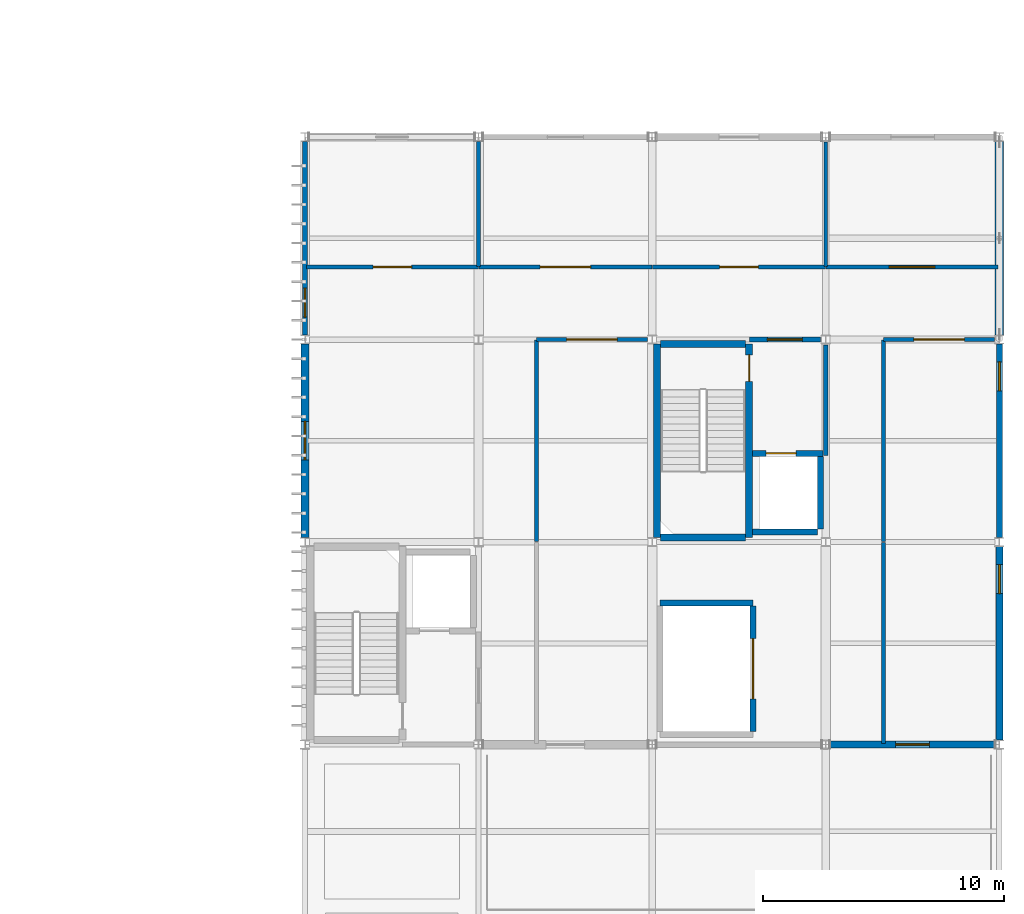
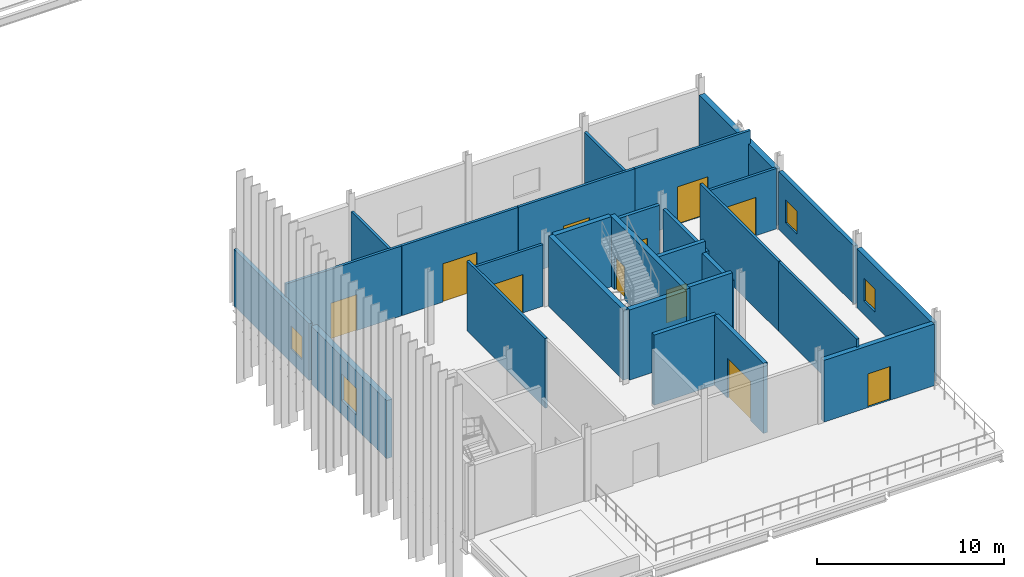
# One storey, part 33 of 45: 28 walls, 11 doors, 4 windows, 15 openings.
"""IFC4 building model written with IfcOpenShell, lengths in metres."""

from ifc_helpers import new_model, si_unit, direction, frame, frame_2d, origin, place, context, subcontext, project, spatial, rectangle, extrude, material, layer, layer_set, type_object, element, fill, save


model = new_model("IFC4")

# Units and contexts
model_context = context("Model", 3, precision=1e-05, world=origin(), true_north=direction((0.0, 1.0)))
body_context = subcontext(model_context, "Body", "Model", "MODEL_VIEW")
ifc_project = project(units=[si_unit("LENGTHUNIT", "METRE"), si_unit("AREAUNIT", "SQUARE_METRE"), si_unit("VOLUMEUNIT", "CUBIC_METRE"), si_unit("PLANEANGLEUNIT", "RADIAN"), si_unit("MASSUNIT", "GRAM", prefix="KILO")], contexts=[model_context])

# Site, building, storey
site_placement = place(None, origin())
site = spatial("IfcSite", under=ifc_project, at=site_placement, CompositionType="ELEMENT")
building_placement = place(site_placement, origin())
building = spatial("IfcBuilding", under=site, at=building_placement, Name="Calvrana Isthmian Art Gallery", CompositionType="ELEMENT")
storey_placement = place(building_placement, frame((0.0, 0.0, 19.800048828125)))
storey = spatial("IfcBuildingStorey", under=building, at=storey_placement, Name="L04", CompositionType="ELEMENT", Elevation=19.800048828125)

# Wall
ifc_material_1 = material(Name="Concrete C40/50", Category="concrete")
ifc_layer_1 = layer(ifc_material_1, 0.300048828125, Name="Concrete C40/50")
ifc_layer_set_1 = layer_set([ifc_layer_1], Name="Concrete C40/50")
wall_type_1 = type_object("IfcWallType", Name="CW-SHAFT-300", PredefinedType="SHEAR", material=ifc_layer_set_1)
wall_1_placement = place(storey_placement, frame((127.39990234375, 30.18994140625, 0.0), z_axis=(0.0, 0.0, 1.0), x_axis=(0.0, 1.0, 0.0)))
element("IfcWall", 1, at=wall_1_placement, inside=storey, type_object=wall_type_1, Name="Core C4 shear wall W L04", PredefinedType="SHEAR", context=body_context, shape_type="SweptSolid", body=[
    extrude(rectangle(XDim=8.02001953125, YDim=0.300048828125, at=frame_2d((4.010009765625, 0.0))), origin(), (0.0, 0.0, 1.0), 4.579833984375),
])

# Wall, opening, door
wall_2_placement = place(storey_placement, frame((131.219970703125, 30.18994140625, 0.0), z_axis=(0.0, 0.0, 1.0), x_axis=(0.0, 1.0, 0.0)))
wall_2 = element("IfcWall", 2, at=wall_2_placement, inside=storey, type_object=wall_type_1, Name="Core C4 shear wall E L04", PredefinedType="SHEAR", context=body_context, shape_type="SweptSolid", body=[
    extrude(rectangle(XDim=8.02001953125, YDim=0.300048828125, at=frame_2d((4.010009765625, 0.0))), origin(), (0.0, 0.0, 1.0), 4.579833984375),
])
opening_1_placement = place(wall_2_placement, frame((6.469970703125, 0.0, 0.0)))
opening_1 = element("IfcOpeningElement", 3, at=opening_1_placement, cuts=wall_2, Name="Opening D-152", PredefinedType="OPENING", context=body_context, shape_type="SweptSolid", body=[
    extrude(rectangle(XDim=1.10009765625, YDim=2.14990234375, at=frame_2d((0.550048828125, 1.074951171875))), frame((0.0, 0.16015625, 0.0), z_axis=(0.0, -1.0, 0.0), x_axis=(1.0, 0.0, 0.0)), (0.0, 0.0, 1.0), 0.320556640625),
])
ifc_material_2 = material(Name="Steel ASTM A572 Gr 50", Category="steel")
door_type_1 = type_object("IfcDoorType", Name="DR-FIRE-1100", OperationType="NOTDEFINED", PredefinedType="DOOR", material=ifc_material_2)
door_1_placement = place(opening_1_placement, origin())
door_1 = element("IfcDoor", 4, at=door_1_placement, inside=storey, type_object=door_type_1, Name="Stair ST-4 fire door L04", OperationType="SINGLE_SWING_LEFT", OverallHeight=2.14990234375, OverallWidth=1.10009765625, PredefinedType="DOOR", context=body_context, shape_type="SweptSolid", body=[
    extrude(rectangle(XDim=1.10009765625, YDim=2.14990234375, at=frame_2d((0.550048828125, 1.074951171875))), frame((0.0, 0.02490234375, 0.0), z_axis=(0.0, -1.0, 0.0), x_axis=(1.0, 0.0, 0.0)), (0.0, 0.0, 1.0), 0.050048828125),
])
fill(opening_1, door_1)

# Walls
for number, where, z_axis, x_axis, name in (
    (5, (127.550048828125, 30.18994140625, 0.0), (0.0, 0.0, 1.0), (1.0, 0.0, 0.0), "Core C4 shear wall S L04"),
    (6, (127.550048828125, 38.2099609375, 0.0), (0.0, 0.0, 1.0), (1.0, 0.0, 0.0), "Core C4 shear wall N L04"),
):
    element("IfcWall", number, at=place(storey_placement, frame(where, z_axis=z_axis, x_axis=x_axis)), inside=storey, type_object=wall_type_1, Name=name, PredefinedType="SHEAR", context=body_context, shape_type="SweptSolid", body=[
        extrude(rectangle(XDim=3.52001953125, YDim=0.300048828125, at=frame_2d((1.760009765625, 0.0))), origin(), (0.0, 0.0, 1.0), 4.579833984375),
    ])

# Wall, opening, window
ifc_material_3 = material(Name="Precast concrete C40/50", Category="concrete")
ifc_layer_2 = layer(ifc_material_3, 0.219970703125, Name="Precast concrete C40/50")
ifc_layer_set_2 = layer_set([ifc_layer_2], Name="Precast concrete C40/50")
wall_type_2 = type_object("IfcWallType", Name="EW-ACOUST-220", PredefinedType="SOLIDWALL", material=ifc_layer_set_2)
wall_3_placement = place(storey_placement, frame((112.800048828125, 38.577880859375, 0.0), z_axis=(0.0, 0.0, 1.0), x_axis=(0.0, 1.0, 0.0)))
wall_3 = element("IfcWall", 7, at=wall_3_placement, inside=storey, type_object=wall_type_2, Name="Exterior wall EW-203", PredefinedType="SOLIDWALL", context=body_context, shape_type="SweptSolid", body=[
    extrude(rectangle(XDim=8.04052734375, YDim=0.219970703125, at=frame_2d((4.020263671875, 0.0))), origin(), (0.0, 0.0, 1.0), 3.703857421875),
])
opening_2_placement = place(wall_3_placement, frame((0.75, 0.0, 0.89990234375)))
opening_2 = element("IfcOpeningElement", 8, at=opening_2_placement, cuts=wall_3, Name="Opening W-151", PredefinedType="OPENING", context=body_context, shape_type="SweptSolid", body=[
    extrude(rectangle(XDim=1.199951171875, YDim=1.5, at=frame_2d((0.60009765625, 0.75))), frame((0.0, 0.1201171875, 0.0), z_axis=(0.0, -1.0, 0.0), x_axis=(1.0, 0.0, 0.0)), (0.0, 0.0, 1.0), 0.240478515625),
])
ifc_material_4 = material(Name="Low-E laminated solar glass", Category="glass")
window_type_1 = type_object("IfcWindowType", Name="WN-G01", PartitioningType="SINGLE_PANEL", PredefinedType="WINDOW", material=ifc_material_4)
window_1_placement = place(opening_2_placement, origin())
window_1 = element("IfcWindow", 9, at=window_1_placement, inside=storey, type_object=window_type_1, Name="Facade window W-151", OverallHeight=1.5, OverallWidth=1.199951171875, PartitioningType="SINGLE_PANEL", PredefinedType="WINDOW", context=body_context, shape_type="SweptSolid", body=[
    extrude(rectangle(XDim=1.199951171875, YDim=1.5, at=frame_2d((0.60009765625, 0.75))), frame((0.0, 0.030029296875, 0.0), z_axis=(0.0, -1.0, 0.0), x_axis=(1.0, 0.0, 0.0)), (0.0, 0.0, 1.0), 0.06005859375),
])
fill(opening_2, window_1)

# Wall, opening, door
ifc_material_5 = material(Name="Pale Isthmian limestone", Category="masonry")
ifc_layer_3 = layer(ifc_material_5, 0.300048828125, Name="Pale Isthmian limestone")
ifc_layer_set_3 = layer_set([ifc_layer_3], Name="Pale Isthmian limestone")
wall_type_3 = type_object("IfcWallType", Name="EW-LIME-300", PredefinedType="SOLIDWALL", material=ifc_layer_set_3)
wall_4_placement = place(storey_placement, frame((141.41357421875, 21.60009765625, 0.0), z_axis=(0.0, 0.0, 1.0), x_axis=(-1.0, 0.0, 0.0)))
wall_4 = element("IfcWall", 10, at=wall_4_placement, inside=storey, type_object=wall_type_3, Name="Exterior wall EW-188", PredefinedType="SOLIDWALL", context=body_context, shape_type="SweptSolid", body=[
    extrude(rectangle(XDim=6.8271484375, YDim=0.300048828125, at=frame_2d((3.41357421875, 0.0))), origin(), (0.0, 0.0, 1.0), 4.02685546875),
])
opening_3_placement = place(wall_4_placement, frame((2.71337890625, 0.0, 0.0)))
opening_3 = element("IfcOpeningElement", 11, at=opening_3_placement, cuts=wall_4, Name="Opening D-T29", PredefinedType="OPENING", context=body_context, shape_type="SweptSolid", body=[
    extrude(rectangle(XDim=1.39990234375, YDim=2.199951171875, at=frame_2d((0.699951171875, 1.10009765625))), frame((0.0, 0.16015625, 0.0), z_axis=(0.0, -1.0, 0.0), x_axis=(1.0, 0.0, 0.0)), (0.0, 0.0, 1.0), 0.320556640625),
])
ifc_material_6 = material(Name="Anodized bronze aluminium 6063-T6", Category="aluminium")
door_type_2 = type_object("IfcDoorType", Name="DR-EXT-TER-1400", OperationType="NOTDEFINED", PredefinedType="DOOR", material=ifc_material_6)
door_2_placement = place(opening_3_placement, origin())
door_2 = element("IfcDoor", 12, at=door_2_placement, inside=storey, type_object=door_type_2, Name="Sculpture terrace access door D-T29", OperationType="SINGLE_SWING_LEFT", OverallHeight=2.199951171875, OverallWidth=1.39990234375, PredefinedType="DOOR", context=body_context, shape_type="SweptSolid", body=[
    extrude(rectangle(XDim=1.39990234375, YDim=2.199951171875, at=frame_2d((0.699951171875, 1.10009765625))), frame((0.0, 0.02490234375, 0.0), z_axis=(0.0, -1.0, 0.0), x_axis=(1.0, 0.0, 0.0)), (0.0, 0.0, 1.0), 0.050048828125),
])
fill(opening_3, door_2)

# Wall, opening, window
wall_5_placement = place(storey_placement, frame((141.60009765625, 29.8134765625, 0.0), z_axis=(0.0, 0.0, 1.0), x_axis=(0.0, -1.0, 0.0)))
wall_5 = element("IfcWall", 13, at=wall_5_placement, inside=storey, type_object=wall_type_3, Name="Exterior wall EW-204", PredefinedType="SOLIDWALL", context=body_context, shape_type="SweptSolid", body=[
    extrude(rectangle(XDim=8.029541015625, YDim=0.300048828125, at=frame_2d((4.0146484375, 0.0))), origin(), (0.0, 0.0, 1.0), 3.866943359375),
])
opening_4_placement = place(wall_5_placement, frame((0.75, 0.0, 0.89990234375)))
opening_4 = element("IfcOpeningElement", 14, at=opening_4_placement, cuts=wall_5, Name="Opening W-152", PredefinedType="OPENING", context=body_context, shape_type="SweptSolid", body=[
    extrude(rectangle(XDim=1.199951171875, YDim=1.5, at=frame_2d((0.60009765625, 0.75))), frame((0.0, 0.16015625, 0.0), z_axis=(0.0, -1.0, 0.0), x_axis=(1.0, 0.0, 0.0)), (0.0, 0.0, 1.0), 0.320556640625),
])
window_2_placement = place(opening_4_placement, origin())
window_2 = element("IfcWindow", 15, at=window_2_placement, inside=storey, type_object=window_type_1, Name="Facade window W-152", OverallHeight=1.5, OverallWidth=1.199951171875, PartitioningType="SINGLE_PANEL", PredefinedType="WINDOW", context=body_context, shape_type="SweptSolid", body=[
    extrude(rectangle(XDim=1.199951171875, YDim=1.5, at=frame_2d((0.60009765625, 0.75))), frame((0.0, 0.030029296875, 0.0), z_axis=(0.0, -1.0, 0.0), x_axis=(1.0, 0.0, 0.0)), (0.0, 0.0, 1.0), 0.06005859375),
])
fill(opening_4, window_2)

ifc_layer_4 = layer(ifc_material_3, 0.35009765625, Name="Precast concrete C40/50")
ifc_layer_set_4 = layer_set([ifc_layer_4], Name="Precast concrete C40/50")
wall_type_4 = type_object("IfcWallType", Name="EW-PREC-350", PredefinedType="SOLIDWALL", material=ifc_layer_set_4)
wall_6_placement = place(storey_placement, frame((112.800048828125, 30.1865234375, 0.0), z_axis=(0.0, 0.0, 1.0), x_axis=(0.0, 1.0, 0.0)))
wall_6 = element("IfcWall", 16, at=wall_6_placement, inside=storey, type_object=wall_type_4, Name="Exterior wall EW-202", PredefinedType="SOLIDWALL", context=body_context, shape_type="SweptSolid", body=[
    extrude(rectangle(XDim=8.035400390625, YDim=0.35009765625, at=frame_2d((4.017578125, 0.0))), origin(), (0.0, 0.0, 1.0), 3.787841796875),
])
opening_5_placement = place(wall_6_placement, frame((3.2177734375, 0.0, 0.89990234375)))
opening_5 = element("IfcOpeningElement", 17, at=opening_5_placement, cuts=wall_6, Name="Opening W-150", PredefinedType="OPENING", context=body_context, shape_type="SweptSolid", body=[
    extrude(rectangle(XDim=1.60009765625, YDim=1.75, at=frame_2d((0.800048828125, 0.875))), frame((0.0, 0.185302734375, 0.0), z_axis=(0.0, -1.0, 0.0), x_axis=(1.0, 0.0, 0.0)), (0.0, 0.0, 1.0), 0.37060546875),
])
window_type_2 = type_object("IfcWindowType", Name="WN-G10", PartitioningType="SINGLE_PANEL", PredefinedType="WINDOW", material=ifc_material_4)
window_3_placement = place(opening_5_placement, origin())
window_3 = element("IfcWindow", 18, at=window_3_placement, inside=storey, type_object=window_type_2, Name="Facade window W-150", OverallHeight=1.75, OverallWidth=1.60009765625, PartitioningType="SINGLE_PANEL", PredefinedType="WINDOW", context=body_context, shape_type="SweptSolid", body=[
    extrude(rectangle(XDim=1.60009765625, YDim=1.75, at=frame_2d((0.800048828125, 0.875))), frame((0.0, 0.030029296875, 0.0), z_axis=(0.0, -1.0, 0.0), x_axis=(1.0, 0.0, 0.0)), (0.0, 0.0, 1.0), 0.06005859375),
])
fill(opening_5, window_3)

# Wall
wall_7_placement = place(storey_placement, frame((141.60009765625, 46.618408203125, 0.0), z_axis=(0.0, 0.0, 1.0), x_axis=(0.0, -1.0, 0.0)))
element("IfcWall", 19, at=wall_7_placement, inside=storey, type_object=wall_type_4, Name="Exterior wall EW-206", PredefinedType="SOLIDWALL", context=body_context, shape_type="SweptSolid", body=[
    extrude(rectangle(XDim=8.04052734375, YDim=0.35009765625, at=frame_2d((4.020263671875, 0.0))), origin(), (0.0, 0.0, 1.0), 3.703857421875),
])

# Wall, opening, window
ifc_material_7 = material(Name="Polychrome glazed terracotta", Category="masonry")
ifc_layer_5 = layer(ifc_material_7, 0.25, Name="Polychrome glazed terracotta")
ifc_layer_set_5 = layer_set([ifc_layer_5], Name="Polychrome glazed terracotta")
wall_type_5 = type_object("IfcWallType", Name="EW-TERRA-250", PredefinedType="SOLIDWALL", material=ifc_layer_set_5)
wall_8_placement = place(storey_placement, frame((141.60009765625, 38.221923828125, 0.0), z_axis=(0.0, 0.0, 1.0), x_axis=(0.0, -1.0, 0.0)))
wall_8 = element("IfcWall", 20, at=wall_8_placement, inside=storey, type_object=wall_type_5, Name="Exterior wall EW-205", PredefinedType="SOLIDWALL", context=body_context, shape_type="SweptSolid", body=[
    extrude(rectangle(XDim=8.035400390625, YDim=0.25, at=frame_2d((4.017578125, 0.0))), origin(), (0.0, 0.0, 1.0), 3.787841796875),
])
opening_6_placement = place(wall_8_placement, frame((0.75, 0.0, 0.89990234375)))
opening_6 = element("IfcOpeningElement", 21, at=opening_6_placement, cuts=wall_8, Name="Opening W-153", PredefinedType="OPENING", context=body_context, shape_type="SweptSolid", body=[
    extrude(rectangle(XDim=1.199951171875, YDim=1.5, at=frame_2d((0.60009765625, 0.75))), frame((0.0, 0.13525390625, 0.0), z_axis=(0.0, -1.0, 0.0), x_axis=(1.0, 0.0, 0.0)), (0.0, 0.0, 1.0), 0.2705078125),
])
window_4_placement = place(opening_6_placement, origin())
window_4 = element("IfcWindow", 22, at=window_4_placement, inside=storey, type_object=window_type_1, Name="Facade window W-153", OverallHeight=1.5, OverallWidth=1.199951171875, PartitioningType="SINGLE_PANEL", PredefinedType="WINDOW", context=body_context, shape_type="SweptSolid", body=[
    extrude(rectangle(XDim=1.199951171875, YDim=1.5, at=frame_2d((0.60009765625, 0.75))), frame((0.0, 0.030029296875, 0.0), z_axis=(0.0, -1.0, 0.0), x_axis=(1.0, 0.0, 0.0)), (0.0, 0.0, 1.0), 0.06005859375),
])
fill(opening_6, window_4)

# Wall
ifc_material_8 = material(Name="Acoustic gypsum ceiling", Category="gypsum")
ifc_layer_6 = layer(ifc_material_8, 0.199951171875, Name="Acoustic gypsum ceiling")
ifc_layer_set_6 = layer_set([ifc_layer_6], Name="Acoustic gypsum ceiling")
wall_type_6 = type_object("IfcWallType", Name="PW-FIRE-200", PredefinedType="PARTITIONING", material=ifc_layer_set_6)
wall_9_placement = place(storey_placement, frame((134.39990234375, 33.60009765625, 0.0), z_axis=(0.0, 0.0, 1.0), x_axis=(0.0, 1.0, 0.0)))
element("IfcWall", 23, at=wall_9_placement, inside=storey, type_object=wall_type_6, Name="Core C4 lobby east closure L04", PredefinedType="PARTITIONING", context=body_context, shape_type="SweptSolid", body=[
    extrude(rectangle(XDim=4.579833984375, YDim=0.199951171875, at=frame_2d((2.2900390625, 0.0))), origin(), (0.0, 0.0, 1.0), 3.866943359375),
])

# Wall, opening, door
wall_10_placement = place(storey_placement, frame((131.22998046875, 38.39990234375, 0.0), z_axis=(0.0, 0.0, 1.0), x_axis=(1.0, 0.0, 0.0)))
wall_10 = element("IfcWall", 24, at=wall_10_placement, inside=storey, type_object=wall_type_6, Name="Core C4 lobby enclosure L04", PredefinedType="PARTITIONING", context=body_context, shape_type="SweptSolid", body=[
    extrude(rectangle(XDim=2.949951171875, YDim=0.199951171875, at=frame_2d((1.47509765625, 0.0))), origin(), (0.0, 0.0, 1.0), 4.097900390625),
])
opening_7_placement = place(wall_10_placement, frame((0.75, 0.0, 0.0)))
opening_7 = element("IfcOpeningElement", 25, at=opening_7_placement, cuts=wall_10, Name="Opening D-153", PredefinedType="OPENING", context=body_context, shape_type="SweptSolid", body=[
    extrude(rectangle(XDim=1.449951171875, YDim=2.199951171875, at=frame_2d((0.72509765625, 1.10009765625))), frame((0.0, 0.1103515625, 0.0), z_axis=(0.0, -1.0, 0.0), x_axis=(1.0, 0.0, 0.0)), (0.0, 0.0, 1.0), 0.220458984375),
])
door_type_3 = type_object("IfcDoorType", Name="DR-LOBBY-1450", OperationType="DOUBLE_DOOR_SINGLE_SWING", PredefinedType="DOOR", material=ifc_material_2)
door_3_placement = place(opening_7_placement, origin())
door_3 = element("IfcDoor", 26, at=door_3_placement, inside=storey, type_object=door_type_3, Name="Core C4 lobby fire door L04", OperationType="DOUBLE_DOOR_SINGLE_SWING", OverallHeight=2.199951171875, OverallWidth=1.449951171875, PredefinedType="DOOR", context=body_context, shape_type="SweptSolid", body=[
    extrude(rectangle(XDim=1.449951171875, YDim=2.199951171875, at=frame_2d((0.72509765625, 1.10009765625))), frame((0.0, 0.02490234375, 0.0), z_axis=(0.0, -1.0, 0.0), x_axis=(1.0, 0.0, 0.0)), (0.0, 0.0, 1.0), 0.050048828125),
])
fill(opening_7, door_3)

# Wall
ifc_layer_7 = layer(ifc_material_8, 0.159912109375, Name="Acoustic gypsum ceiling")
ifc_layer_set_7 = layer_set([ifc_layer_7], Name="Acoustic gypsum ceiling")
wall_type_7 = type_object("IfcWallType", Name="PW-GAL-160", PredefinedType="PARTITIONING", material=ifc_layer_set_7)
wall_11_placement = place(storey_placement, frame((122.39990234375, 30.02001953125, 0.0), z_axis=(0.0, 0.0, 1.0), x_axis=(0.0, 1.0, 0.0)))
element("IfcWall", 27, at=wall_11_placement, inside=storey, type_object=wall_type_7, Name="Interior partition PW-594", PredefinedType="PARTITIONING", context=body_context, shape_type="SweptSolid", body=[
    extrude(rectangle(XDim=8.35986328125, YDim=0.159912109375, at=frame_2d((4.179931640625, 0.0))), origin(), (0.0, 0.0, 1.0), 4.56005859375),
])

# Wall, opening, door
wall_12_placement = place(storey_placement, frame((122.39990234375, 38.39990234375, 0.0), z_axis=(0.0, 0.0, 1.0), x_axis=(1.0, 0.0, 0.0)))
wall_12 = element("IfcWall", 28, at=wall_12_placement, inside=storey, type_object=wall_type_7, Name="Interior partition PW-595", PredefinedType="PARTITIONING", context=body_context, shape_type="SweptSolid", body=[
    extrude(rectangle(XDim=4.5986328125, YDim=0.159912109375, at=frame_2d((2.29931640625, 0.0))), origin(), (0.0, 0.0, 1.0), 4.02685546875),
])
opening_8_placement = place(wall_12_placement, frame((1.249267578125, 0.0, 0.0)))
opening_8 = element("IfcOpeningElement", 29, at=opening_8_placement, cuts=wall_12, Name="Opening D-509", PredefinedType="OPENING", context=body_context, shape_type="SweptSolid", body=[
    extrude(rectangle(XDim=2.10009765625, YDim=2.5, at=frame_2d((1.050048828125, 1.25))), frame((0.0, 0.09033203125, 0.0), z_axis=(0.0, -1.0, 0.0), x_axis=(1.0, 0.0, 0.0)), (0.0, 0.0, 1.0), 0.180419921875),
])
ifc_material_9 = material(Name="Timber gallery flooring", Category="wood")
door_type_4 = type_object("IfcDoorType", Name="DR-GAL-2100", OperationType="DOUBLE_DOOR_SINGLE_SWING", PredefinedType="DOOR", material=ifc_material_9)
door_4_placement = place(opening_8_placement, origin())
door_4 = element("IfcDoor", 30, at=door_4_placement, inside=storey, type_object=door_type_4, Name="Interior door D-509", OperationType="DOUBLE_DOOR_SINGLE_SWING", OverallHeight=2.5, OverallWidth=2.10009765625, PredefinedType="DOOR", context=body_context, shape_type="SweptSolid", body=[
    extrude(rectangle(XDim=2.10009765625, YDim=2.5, at=frame_2d((1.050048828125, 1.25))), frame((0.0, 0.02490234375, 0.0), z_axis=(0.0, -1.0, 0.0), x_axis=(1.0, 0.0, 0.0)), (0.0, 0.0, 1.0), 0.050048828125),
])
fill(opening_8, door_4)

# Walls
wall_13_placement = place(storey_placement, frame((136.800048828125, 21.639892578125, 0.0), z_axis=(0.0, 0.0, 1.0), x_axis=(0.0, 1.0, 0.0)))
element("IfcWall", 31, at=wall_13_placement, inside=storey, type_object=wall_type_7, Name="Interior partition PW-596", PredefinedType="PARTITIONING", context=body_context, shape_type="SweptSolid", body=[
    extrude(rectangle(XDim=8.340087890625, YDim=0.159912109375, at=frame_2d((4.169921875, 0.0))), origin(), (0.0, 0.0, 1.0), 4.56005859375),
])
wall_14_placement = place(storey_placement, frame((136.800048828125, 30.02001953125, 0.0), z_axis=(0.0, 0.0, 1.0), x_axis=(0.0, 1.0, 0.0)))
element("IfcWall", 32, at=wall_14_placement, inside=storey, type_object=wall_type_7, Name="Interior partition PW-597", PredefinedType="PARTITIONING", context=body_context, shape_type="SweptSolid", body=[
    extrude(rectangle(XDim=8.35986328125, YDim=0.159912109375, at=frame_2d((4.179931640625, 0.0))), origin(), (0.0, 0.0, 1.0), 4.56005859375),
])

# Wall, opening, door
wall_15_placement = place(storey_placement, frame((136.800048828125, 38.39990234375, 0.0), z_axis=(0.0, 0.0, 1.0), x_axis=(1.0, 0.0, 0.0)))
wall_15 = element("IfcWall", 33, at=wall_15_placement, inside=storey, type_object=wall_type_7, Name="Interior partition PW-598", PredefinedType="PARTITIONING", context=body_context, shape_type="SweptSolid", body=[
    extrude(rectangle(XDim=4.600830078125, YDim=0.159912109375, at=frame_2d((2.30029296875, 0.0))), origin(), (0.0, 0.0, 1.0), 3.952880859375),
])
opening_9_placement = place(wall_15_placement, frame((1.25048828125, 0.0, 0.0)))
opening_9 = element("IfcOpeningElement", 34, at=opening_9_placement, cuts=wall_15, Name="Opening D-510", PredefinedType="OPENING", context=body_context, shape_type="SweptSolid", body=[
    extrude(rectangle(XDim=2.10009765625, YDim=2.5, at=frame_2d((1.050048828125, 1.25))), frame((0.0, 0.09033203125, 0.0), z_axis=(0.0, -1.0, 0.0), x_axis=(1.0, 0.0, 0.0)), (0.0, 0.0, 1.0), 0.180419921875),
])
door_5_placement = place(opening_9_placement, origin())
door_5 = element("IfcDoor", 35, at=door_5_placement, inside=storey, type_object=door_type_4, Name="Interior door D-510", OperationType="DOUBLE_DOOR_SINGLE_SWING", OverallHeight=2.5, OverallWidth=2.10009765625, PredefinedType="DOOR", context=body_context, shape_type="SweptSolid", body=[
    extrude(rectangle(XDim=2.10009765625, YDim=2.5, at=frame_2d((1.050048828125, 1.25))), frame((0.0, 0.02490234375, 0.0), z_axis=(0.0, -1.0, 0.0), x_axis=(1.0, 0.0, 0.0)), (0.0, 0.0, 1.0), 0.050048828125),
])
fill(opening_9, door_5)

wall_16_placement = place(storey_placement, frame((112.860107421875, 41.409912109375, 0.0), z_axis=(0.0, 0.0, 1.0), x_axis=(1.0, 0.0, 0.0)))
wall_16 = element("IfcWall", 36, at=wall_16_placement, inside=storey, type_object=wall_type_7, Name="Interior partition PW-599", PredefinedType="PARTITIONING", context=body_context, shape_type="SweptSolid", body=[
    extrude(rectangle(XDim=7.1298828125, YDim=0.159912109375, at=frame_2d((3.56494140625, 0.0))), origin(), (0.0, 0.0, 1.0), 4.56005859375),
])
opening_10_placement = place(wall_16_placement, frame((2.764892578125, 0.0, 0.0)))
opening_10 = element("IfcOpeningElement", 37, at=opening_10_placement, cuts=wall_16, Name="Opening D-511", PredefinedType="OPENING", context=body_context, shape_type="SweptSolid", body=[
    extrude(rectangle(XDim=1.60009765625, YDim=2.35009765625, at=frame_2d((0.800048828125, 1.175048828125))), frame((0.0, 0.09033203125, 0.0), z_axis=(0.0, -1.0, 0.0), x_axis=(1.0, 0.0, 0.0)), (0.0, 0.0, 1.0), 0.180419921875),
])
door_type_5 = type_object("IfcDoorType", Name="DR-GAL-1600", OperationType="DOUBLE_DOOR_SINGLE_SWING", PredefinedType="DOOR", material=ifc_material_9)
door_6_placement = place(opening_10_placement, origin())
door_6 = element("IfcDoor", 38, at=door_6_placement, inside=storey, type_object=door_type_5, Name="Interior door D-511", OperationType="DOUBLE_DOOR_SINGLE_SWING", OverallHeight=2.35009765625, OverallWidth=1.60009765625, PredefinedType="DOOR", context=body_context, shape_type="SweptSolid", body=[
    extrude(rectangle(XDim=1.60009765625, YDim=2.35009765625, at=frame_2d((0.800048828125, 1.175048828125))), frame((0.0, 0.02490234375, 0.0), z_axis=(0.0, -1.0, 0.0), x_axis=(1.0, 0.0, 0.0)), (0.0, 0.0, 1.0), 0.050048828125),
])
fill(opening_10, door_6)

# Wall
wall_17_placement = place(storey_placement, frame((120.0, 41.419921875, 0.0), z_axis=(0.0, 0.0, 1.0), x_axis=(0.0, 1.0, 0.0)))
element("IfcWall", 39, at=wall_17_placement, inside=storey, type_object=wall_type_7, Name="Interior partition PW-600", PredefinedType="PARTITIONING", context=body_context, shape_type="SweptSolid", body=[
    extrude(rectangle(XDim=5.18701171875, YDim=0.159912109375, at=frame_2d((2.593505859375, 0.0))), origin(), (0.0, 0.0, 1.0), 3.633056640625),
])

# Wall, opening, door
wall_18_placement = place(storey_placement, frame((120.010009765625, 41.409912109375, 0.0), z_axis=(0.0, 0.0, 1.0), x_axis=(1.0, 0.0, 0.0)))
wall_18 = element("IfcWall", 40, at=wall_18_placement, inside=storey, type_object=wall_type_7, Name="Interior partition PW-601", PredefinedType="PARTITIONING", context=body_context, shape_type="SweptSolid", body=[
    extrude(rectangle(XDim=7.179931640625, YDim=0.159912109375, at=frame_2d((3.58984375, 0.0))), origin(), (0.0, 0.0, 1.0), 4.56005859375),
])
opening_11_placement = place(wall_18_placement, frame((2.5400390625, 0.0, 0.0)))
opening_11 = element("IfcOpeningElement", 41, at=opening_11_placement, cuts=wall_18, Name="Opening D-512", PredefinedType="OPENING", context=body_context, shape_type="SweptSolid", body=[
    extrude(rectangle(XDim=2.10009765625, YDim=2.5, at=frame_2d((1.050048828125, 1.25))), frame((0.0, 0.09033203125, 0.0), z_axis=(0.0, -1.0, 0.0), x_axis=(1.0, 0.0, 0.0)), (0.0, 0.0, 1.0), 0.180419921875),
])
door_7_placement = place(opening_11_placement, origin())
door_7 = element("IfcDoor", 42, at=door_7_placement, inside=storey, type_object=door_type_4, Name="Interior door D-512", OperationType="DOUBLE_DOOR_SINGLE_SWING", OverallHeight=2.5, OverallWidth=2.10009765625, PredefinedType="DOOR", context=body_context, shape_type="SweptSolid", body=[
    extrude(rectangle(XDim=2.10009765625, YDim=2.5, at=frame_2d((1.050048828125, 1.25))), frame((0.0, 0.02490234375, 0.0), z_axis=(0.0, -1.0, 0.0), x_axis=(1.0, 0.0, 0.0)), (0.0, 0.0, 1.0), 0.050048828125),
])
fill(opening_11, door_7)

wall_19_placement = place(storey_placement, frame((127.2099609375, 41.409912109375, 0.0), z_axis=(0.0, 0.0, 1.0), x_axis=(1.0, 0.0, 0.0)))
wall_19 = element("IfcWall", 43, at=wall_19_placement, inside=storey, type_object=wall_type_7, Name="Interior partition PW-602", PredefinedType="PARTITIONING", context=body_context, shape_type="SweptSolid", body=[
    extrude(rectangle(XDim=7.179931640625, YDim=0.159912109375, at=frame_2d((3.58984375, 0.0))), origin(), (0.0, 0.0, 1.0), 4.56005859375),
])
opening_12_placement = place(wall_19_placement, frame((2.7900390625, 0.0, 0.0)))
opening_12 = element("IfcOpeningElement", 44, at=opening_12_placement, cuts=wall_19, Name="Opening D-513", PredefinedType="OPENING", context=body_context, shape_type="SweptSolid", body=[
    extrude(rectangle(XDim=1.60009765625, YDim=2.35009765625, at=frame_2d((0.800048828125, 1.175048828125))), frame((0.0, 0.09033203125, 0.0), z_axis=(0.0, -1.0, 0.0), x_axis=(1.0, 0.0, 0.0)), (0.0, 0.0, 1.0), 0.180419921875),
])
door_8_placement = place(opening_12_placement, origin())
door_8 = element("IfcDoor", 45, at=door_8_placement, inside=storey, type_object=door_type_5, Name="Interior door D-513", OperationType="DOUBLE_DOOR_SINGLE_SWING", OverallHeight=2.35009765625, OverallWidth=1.60009765625, PredefinedType="DOOR", context=body_context, shape_type="SweptSolid", body=[
    extrude(rectangle(XDim=1.60009765625, YDim=2.35009765625, at=frame_2d((0.800048828125, 1.175048828125))), frame((0.0, 0.02490234375, 0.0), z_axis=(0.0, -1.0, 0.0), x_axis=(1.0, 0.0, 0.0)), (0.0, 0.0, 1.0), 0.050048828125),
])
fill(opening_12, door_8)

# Wall
wall_20_placement = place(storey_placement, frame((134.39990234375, 41.419921875, 0.0), z_axis=(0.0, 0.0, 1.0), x_axis=(0.0, 1.0, 0.0)))
element("IfcWall", 46, at=wall_20_placement, inside=storey, type_object=wall_type_7, Name="Interior partition PW-603", PredefinedType="PARTITIONING", context=body_context, shape_type="SweptSolid", body=[
    extrude(rectangle(XDim=5.18115234375, YDim=0.159912109375, at=frame_2d((2.590576171875, 0.0))), origin(), (0.0, 0.0, 1.0), 3.787841796875),
])

# Wall, opening, door
wall_21_placement = place(storey_placement, frame((134.409912109375, 41.409912109375, 0.0), z_axis=(0.0, 0.0, 1.0), x_axis=(1.0, 0.0, 0.0)))
wall_21 = element("IfcWall", 47, at=wall_21_placement, inside=storey, type_object=wall_type_7, Name="Interior partition PW-604", PredefinedType="PARTITIONING", context=body_context, shape_type="SweptSolid", body=[
    extrude(rectangle(XDim=7.130126953125, YDim=0.159912109375, at=frame_2d((3.56494140625, 0.0))), origin(), (0.0, 0.0, 1.0), 4.56005859375),
])
opening_13_placement = place(wall_21_placement, frame((2.614990234375, 0.0, 0.0)))
opening_13 = element("IfcOpeningElement", 48, at=opening_13_placement, cuts=wall_21, Name="Opening D-514", PredefinedType="OPENING", context=body_context, shape_type="SweptSolid", body=[
    extrude(rectangle(XDim=1.89990234375, YDim=2.449951171875, at=frame_2d((0.949951171875, 1.22509765625))), frame((0.0, 0.09033203125, 0.0), z_axis=(0.0, -1.0, 0.0), x_axis=(1.0, 0.0, 0.0)), (0.0, 0.0, 1.0), 0.180419921875),
])
door_type_6 = type_object("IfcDoorType", Name="DR-GAL-1900", OperationType="DOUBLE_DOOR_SINGLE_SWING", PredefinedType="DOOR", material=ifc_material_9)
door_9_placement = place(opening_13_placement, origin())
door_9 = element("IfcDoor", 49, at=door_9_placement, inside=storey, type_object=door_type_6, Name="Interior door D-514", OperationType="DOUBLE_DOOR_SINGLE_SWING", OverallHeight=2.449951171875, OverallWidth=1.89990234375, PredefinedType="DOOR", context=body_context, shape_type="SweptSolid", body=[
    extrude(rectangle(XDim=1.89990234375, YDim=2.449951171875, at=frame_2d((0.949951171875, 1.22509765625))), frame((0.0, 0.02490234375, 0.0), z_axis=(0.0, -1.0, 0.0), x_axis=(1.0, 0.0, 0.0)), (0.0, 0.0, 1.0), 0.050048828125),
])
fill(opening_13, door_9)

# Walls
ifc_material_10 = material(Name="Concrete C35/45", Category="concrete")
ifc_layer_8 = layer(ifc_material_10, 0.25, Name="Concrete C35/45")
ifc_layer_set_8 = layer_set([ifc_layer_8], Name="Concrete C35/45")
wall_type_8 = type_object("IfcWallType", Name="PW-SHAFT-250", PredefinedType="PARTITIONING", material=ifc_layer_set_8)
wall_22_placement = place(storey_placement, frame((131.3701171875, 30.419921875, 0.0), z_axis=(0.0, 0.0, 1.0), x_axis=(1.0, 0.0, 0.0)))
element("IfcWall", 50, at=wall_22_placement, inside=storey, type_object=wall_type_8, Name="Lift EL-04 shaft wall S L04", PredefinedType="PARTITIONING", context=body_context, shape_type="SweptSolid", body=[
    extrude(rectangle(XDim=2.679931640625, YDim=0.25, at=frame_2d((1.33984375, 0.0))), origin(), (0.0, 0.0, 1.0), 4.579833984375),
])
wall_23_placement = place(storey_placement, frame((134.179931640625, 30.550048828125, 0.0), z_axis=(0.0, 0.0, 1.0), x_axis=(0.0, 1.0, 0.0)))
element("IfcWall", 51, at=wall_23_placement, inside=storey, type_object=wall_type_8, Name="Lift EL-04 shaft wall E L04", PredefinedType="PARTITIONING", context=body_context, shape_type="SweptSolid", body=[
    extrude(rectangle(XDim=3.0, YDim=0.25, at=frame_2d((1.5, 0.0))), origin(), (0.0, 0.0, 1.0), 3.866943359375),
])

# Wall, opening, door
wall_24_placement = place(storey_placement, frame((131.3701171875, 33.679931640625, 0.0), z_axis=(0.0, 0.0, 1.0), x_axis=(1.0, 0.0, 0.0)))
wall_24 = element("IfcWall", 52, at=wall_24_placement, inside=storey, type_object=wall_type_8, Name="Lift EL-04 shaft wall N L04", PredefinedType="PARTITIONING", context=body_context, shape_type="SweptSolid", body=[
    extrude(rectangle(XDim=2.909912109375, YDim=0.25, at=frame_2d((1.455078125, 0.0))), origin(), (0.0, 0.0, 1.0), 4.579833984375),
])
opening_14_placement = place(wall_24_placement, frame((0.550048828125, 0.0, 0.0)))
opening_14 = element("IfcOpeningElement", 53, at=opening_14_placement, cuts=wall_24, Name="Opening LD-04-L04", PredefinedType="OPENING", context=body_context, shape_type="SweptSolid", body=[
    extrude(rectangle(XDim=1.25, YDim=2.14990234375, at=frame_2d((0.625, 1.074951171875))), frame((0.0, 0.13525390625, 0.0), z_axis=(0.0, -1.0, 0.0), x_axis=(1.0, 0.0, 0.0)), (0.0, 0.0, 1.0), 0.2705078125),
])
ifc_material_11 = material(Name="Stainless steel 316", Category="steel")
door_type_7 = type_object("IfcDoorType", Name="DR-LIFT-1250", OperationType="DOUBLE_DOOR_SLIDING", PredefinedType="DOOR", material=ifc_material_11)
door_10_placement = place(opening_14_placement, origin())
door_10 = element("IfcDoor", 54, at=door_10_placement, inside=storey, type_object=door_type_7, Name="Lift EL-04 sliding landing door L04", OperationType="DOUBLE_DOOR_SLIDING", OverallHeight=2.14990234375, OverallWidth=1.25, PredefinedType="DOOR", context=body_context, shape_type="SweptSolid", body=[
    extrude(rectangle(XDim=1.25, YDim=2.14990234375, at=frame_2d((0.625, 1.074951171875))), frame((0.0, 0.02490234375, 0.0), z_axis=(0.0, -1.0, 0.0), x_axis=(1.0, 0.0, 0.0)), (0.0, 0.0, 1.0), 0.050048828125),
])
fill(opening_14, door_10)

# Wall
wall_25_placement = place(storey_placement, frame((127.52001953125, 27.47998046875, 0.0), z_axis=(0.0, 0.0, 1.0), x_axis=(1.0, 0.0, 0.0)))
element("IfcWall", 55, at=wall_25_placement, inside=storey, type_object=wall_type_8, Name="Art goods lift L-G1 shaft N L04", PredefinedType="PARTITIONING", context=body_context, shape_type="SweptSolid", body=[
    extrude(rectangle(XDim=3.85986328125, YDim=0.25, at=frame_2d((1.929931640625, 0.0))), origin(), (0.0, 0.0, 1.0), 4.579833984375),
])

# Wall, opening, door
wall_26_placement = place(storey_placement, frame((131.3798828125, 22.14990234375, 0.0), z_axis=(0.0, 0.0, 1.0), x_axis=(0.0, 1.0, 0.0)))
wall_26 = element("IfcWall", 56, at=wall_26_placement, inside=storey, type_object=wall_type_8, Name="Art goods lift L-G1 shaft E L04", PredefinedType="PARTITIONING", context=body_context, shape_type="SweptSolid", body=[
    extrude(rectangle(XDim=5.2001953125, YDim=0.25, at=frame_2d((2.60009765625, 0.0))), origin(), (0.0, 0.0, 1.0), 4.579833984375),
])
opening_15_placement = place(wall_26_placement, frame((1.35009765625, 0.0, 0.0)))
opening_15 = element("IfcOpeningElement", 57, at=opening_15_placement, cuts=wall_26, Name="Opening LD-G1-L04", PredefinedType="OPENING", context=body_context, shape_type="SweptSolid", body=[
    extrude(rectangle(XDim=2.5, YDim=2.60009765625, at=frame_2d((1.25, 1.300048828125))), frame((0.0, 0.13525390625, 0.0), z_axis=(0.0, -1.0, 0.0), x_axis=(1.0, 0.0, 0.0)), (0.0, 0.0, 1.0), 0.2705078125),
])
door_type_8 = type_object("IfcDoorType", Name="DR-GLIFT-2500", OperationType="DOUBLE_DOOR_SLIDING", PredefinedType="DOOR", material=ifc_material_11)
door_11_placement = place(opening_15_placement, origin())
door_11 = element("IfcDoor", 58, at=door_11_placement, inside=storey, type_object=door_type_8, Name="Art Goods Lift L-G1 sliding door L04", OperationType="DOUBLE_DOOR_SLIDING", OverallHeight=2.60009765625, OverallWidth=2.5, PredefinedType="DOOR", context=body_context, shape_type="SweptSolid", body=[
    extrude(rectangle(XDim=2.5, YDim=2.60009765625, at=frame_2d((1.25, 1.300048828125))), frame((0.0, 0.02490234375, 0.0), z_axis=(0.0, -1.0, 0.0), x_axis=(1.0, 0.0, 0.0)), (0.0, 0.0, 1.0), 0.050048828125),
])
fill(opening_15, door_11)

save(model, "model.ifc")
